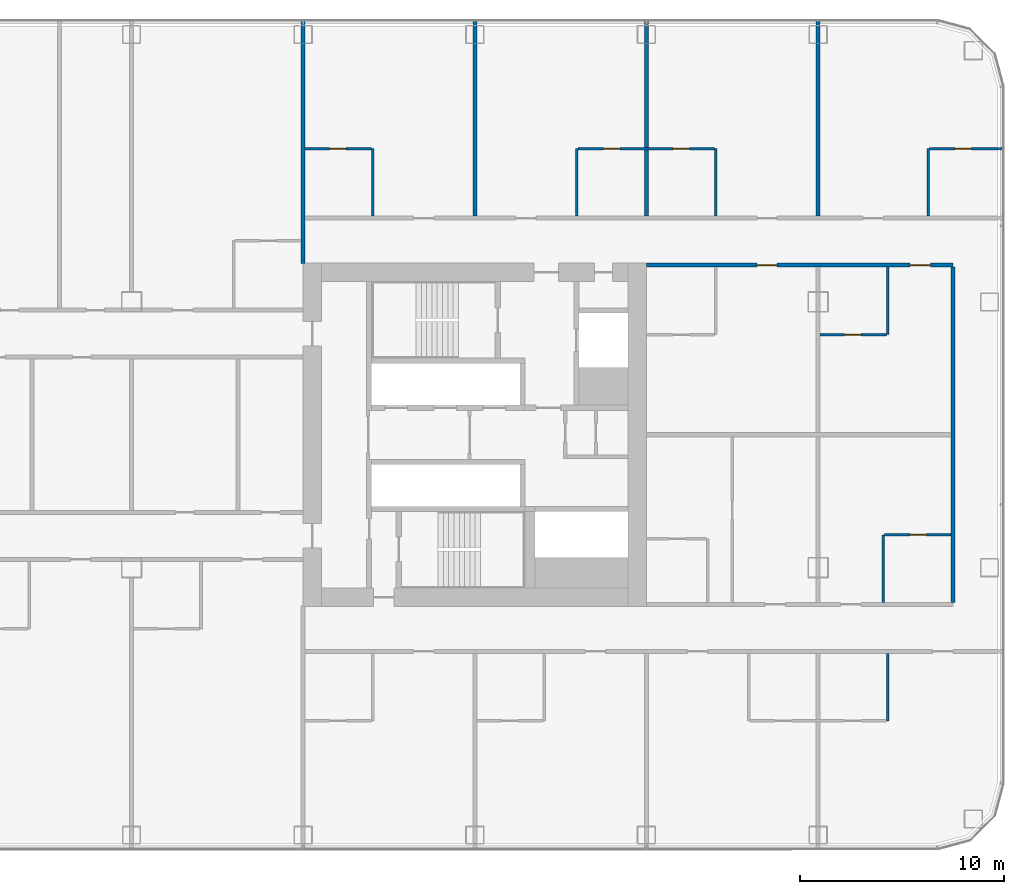
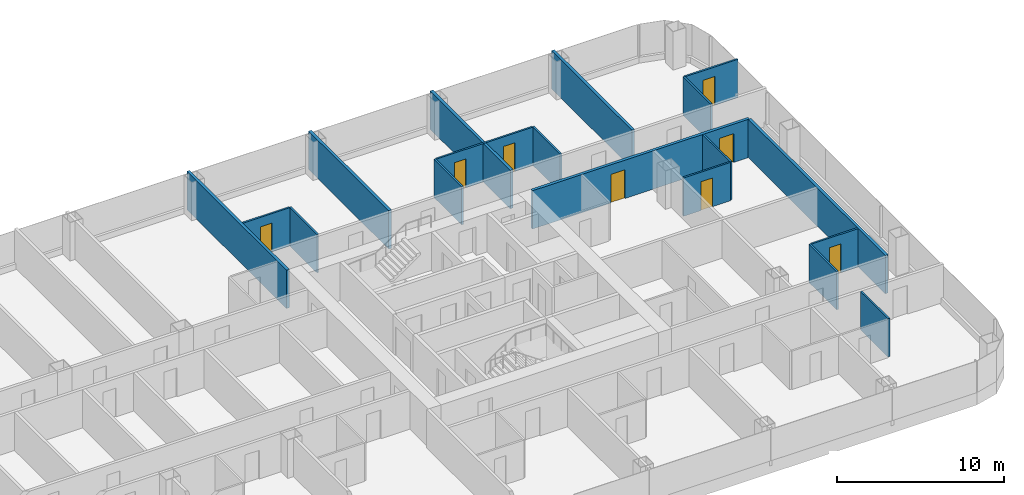
# One storey, part 19 of 28: 18 walls, 8 doors, 8 openings.
"""IFC4 building model written with IfcOpenShell, lengths in metres."""

from ifc_helpers import new_model, si_unit, direction, frame, frame_2d, origin, place, context, subcontext, project, spatial, rectangle, extrude, material, layer, layer_set, type_object, element, fill, save


model = new_model("IFC4")

# Units and contexts
model_context = context("Model", 3, precision=1e-05, world=origin(), true_north=direction((0.0, 1.0)))
body_context = subcontext(model_context, "Body", "Model", "MODEL_VIEW")
ifc_project = project(units=[si_unit("LENGTHUNIT", "METRE"), si_unit("AREAUNIT", "SQUARE_METRE"), si_unit("VOLUMEUNIT", "CUBIC_METRE"), si_unit("PLANEANGLEUNIT", "RADIAN"), si_unit("MASSUNIT", "GRAM", prefix="KILO")], contexts=[model_context])

# Site, building, storey
site_placement = place(None, origin())
site = spatial("IfcSite", under=ifc_project, at=site_placement, CompositionType="ELEMENT")
building_placement = place(site_placement, origin())
building = spatial("IfcBuilding", under=site, at=building_placement, Name="Hakoniwa Tower and Hamabe Station Hall", CompositionType="ELEMENT")
storey_placement = place(building_placement, frame((0.0, 0.0, 35.800048828125)))
storey = spatial("IfcBuildingStorey", under=building, at=storey_placement, Name="L09", CompositionType="ELEMENT", Elevation=35.800048828125)

# Wall, opening, door
ifc_material_1 = material(Name="Gypsum board partition", Category="gypsum")
ifc_layer_1 = layer(ifc_material_1, 0.125)
ifc_layer_set_1 = layer_set([ifc_layer_1], Name="Bathroom Partition 125")
wall_type_1 = type_object("IfcWallType", Name="Bathroom Partition 125", PredefinedType="PARTITIONING", material=ifc_layer_set_1)
wall_1_placement = place(storey_placement, frame((45.262451171875, -4.89990234375, 0.0), z_axis=(0.0, 0.0, 1.0), x_axis=(1.0, 0.0, 0.0)))
wall_1 = element("IfcWall", 1, at=wall_1_placement, inside=storey, type_object=wall_type_1, Name="GW-L09-018", PredefinedType="PARTITIONING", context=body_context, shape_type="SweptSolid", body=[
    extrude(rectangle(XDim=3.237548828125, YDim=0.125, at=frame_2d((1.61865234375, 0.0))), origin(), (0.0, 0.0, 1.0), 2.800048828125),
])
opening_1_placement = place(wall_1_placement, frame((1.237548828125, 0.0, 0.0)))
opening_1 = element("IfcOpeningElement", 2, at=opening_1_placement, cuts=wall_1, Name="Opening GD-G1A1-31", PredefinedType="OPENING", context=body_context, shape_type="SweptSolid", body=[
    extrude(rectangle(XDim=0.800048828125, YDim=2.10009765625, at=frame_2d((0.39990234375, 1.050048828125))), frame((0.0, 0.072509765625, 0.0), z_axis=(0.0, -1.0, 0.0), x_axis=(1.0, 0.0, 0.0)), (0.0, 0.0, 1.0), 0.14501953125),
])
ifc_material_2 = material(Name="Timber door leaf", Category="wood")
door_type_1 = type_object("IfcDoorType", Name="Bathroom Door 800", OperationType="SINGLE_SWING_LEFT", PredefinedType="DOOR", material=ifc_material_2)
door_1_placement = place(opening_1_placement, origin())
door_1 = element("IfcDoor", 3, at=door_1_placement, inside=storey, type_object=door_type_1, Name="Door GD-G1A1-31", OperationType="SINGLE_SWING_LEFT", OverallHeight=2.10009765625, OverallWidth=0.800048828125, PredefinedType="DOOR", context=body_context, shape_type="SweptSolid", body=[
    extrude(rectangle(XDim=0.800048828125, YDim=2.10009765625, at=frame_2d((0.39990234375, 1.050048828125))), frame((0.0, 0.02490234375, 0.0), z_axis=(0.0, -1.0, 0.0), x_axis=(1.0, 0.0, 0.0)), (0.0, 0.0, 1.0), 0.050048828125),
])
fill(opening_1, door_1)

wall_2_placement = place(storey_placement, frame((42.10009765625, 4.89990234375, 0.0), z_axis=(0.0, 0.0, 1.0), x_axis=(1.0, 0.0, 0.0)))
wall_2 = element("IfcWall", 4, at=wall_2_placement, inside=storey, type_object=wall_type_1, Name="GW-L09-025", PredefinedType="PARTITIONING", context=body_context, shape_type="SweptSolid", body=[
    extrude(rectangle(XDim=3.2373046875, YDim=0.125, at=frame_2d((1.61865234375, 0.0))), origin(), (0.0, 0.0, 1.0), 2.800048828125),
])
opening_2_placement = place(wall_2_placement, frame((1.199951171875, 0.0, 0.0)))
opening_2 = element("IfcOpeningElement", 5, at=opening_2_placement, cuts=wall_2, Name="Opening GD-G1A1-42", PredefinedType="OPENING", context=body_context, shape_type="SweptSolid", body=[
    extrude(rectangle(XDim=0.800048828125, YDim=2.10009765625, at=frame_2d((0.39990234375, 1.050048828125))), frame((0.0, 0.072509765625, 0.0), z_axis=(0.0, -1.0, 0.0), x_axis=(1.0, 0.0, 0.0)), (0.0, 0.0, 1.0), 0.14501953125),
])
door_2_placement = place(opening_2_placement, origin())
door_2 = element("IfcDoor", 6, at=door_2_placement, inside=storey, type_object=door_type_1, Name="Door GD-G1A1-42", OperationType="SINGLE_SWING_RIGHT", OverallHeight=2.10009765625, OverallWidth=0.800048828125, PredefinedType="DOOR", context=body_context, shape_type="SweptSolid", body=[
    extrude(rectangle(XDim=0.800048828125, YDim=2.10009765625, at=frame_2d((0.39990234375, 1.050048828125))), frame((0.0, 0.02490234375, 0.0), z_axis=(0.0, -1.0, 0.0), x_axis=(1.0, 0.0, 0.0)), (0.0, 0.0, 1.0), 0.050048828125),
])
fill(opening_2, door_2)

wall_3_placement = place(storey_placement, frame((16.89990234375, 14.0, 0.0), z_axis=(0.0, 0.0, 1.0), x_axis=(1.0, 0.0, 0.0)))
wall_3 = element("IfcWall", 7, at=wall_3_placement, inside=storey, type_object=wall_type_1, Name="GW-L09-036", PredefinedType="PARTITIONING", context=body_context, shape_type="SweptSolid", body=[
    extrude(rectangle(XDim=3.237548828125, YDim=0.125, at=frame_2d((1.61865234375, 0.0))), origin(), (0.0, 0.0, 1.0), 2.800048828125),
])
opening_3_placement = place(wall_3_placement, frame((1.199951171875, 0.0, 0.0)))
opening_3 = element("IfcOpeningElement", 8, at=opening_3_placement, cuts=wall_3, Name="Opening GD-G1A1-66", PredefinedType="OPENING", context=body_context, shape_type="SweptSolid", body=[
    extrude(rectangle(XDim=0.800048828125, YDim=2.10009765625, at=frame_2d((0.39990234375, 1.050048828125))), frame((0.0, 0.072509765625, 0.0), z_axis=(0.0, -1.0, 0.0), x_axis=(1.0, 0.0, 0.0)), (0.0, 0.0, 1.0), 0.14501953125),
])
door_3_placement = place(opening_3_placement, origin())
door_3 = element("IfcDoor", 9, at=door_3_placement, inside=storey, type_object=door_type_1, Name="Door GD-G1A1-66", OperationType="SINGLE_SWING_LEFT", OverallHeight=2.10009765625, OverallWidth=0.800048828125, PredefinedType="DOOR", context=body_context, shape_type="SweptSolid", body=[
    extrude(rectangle(XDim=0.800048828125, YDim=2.10009765625, at=frame_2d((0.39990234375, 1.050048828125))), frame((0.0, 0.02490234375, 0.0), z_axis=(0.0, -1.0, 0.0), x_axis=(1.0, 0.0, 0.0)), (0.0, 0.0, 1.0), 0.050048828125),
])
fill(opening_3, door_3)

# Wall, openings, doors
wall_4_placement = place(storey_placement, frame((30.262451171875, 14.0, 0.0), z_axis=(0.0, 0.0, 1.0), x_axis=(1.0, 0.0, 0.0)))
wall_4 = element("IfcWall", 10, at=wall_4_placement, inside=storey, type_object=wall_type_1, Name="GW-L09-037", PredefinedType="PARTITIONING", context=body_context, shape_type="SweptSolid", body=[
    extrude(rectangle(XDim=6.675048828125, YDim=0.125, at=frame_2d((3.33740234375, 0.0))), origin(), (0.0, 0.0, 1.0), 2.800048828125),
])
opening_4_placement = place(wall_4_placement, frame((1.237548828125, 0.0, 0.0)))
opening_4 = element("IfcOpeningElement", 11, at=opening_4_placement, cuts=wall_4, Name="Opening GD-G1A1-67", PredefinedType="OPENING", context=body_context, shape_type="SweptSolid", body=[
    extrude(rectangle(XDim=0.800048828125, YDim=2.10009765625, at=frame_2d((0.39990234375, 1.050048828125))), frame((0.0, 0.072509765625, 0.0), z_axis=(0.0, -1.0, 0.0), x_axis=(1.0, 0.0, 0.0)), (0.0, 0.0, 1.0), 0.14501953125),
])
opening_5_placement = place(wall_4_placement, frame((4.637451171875, 0.0, 0.0)))
opening_5 = element("IfcOpeningElement", 12, at=opening_5_placement, cuts=wall_4, Name="Opening GD-G1A1-68", PredefinedType="OPENING", context=body_context, shape_type="SweptSolid", body=[
    extrude(rectangle(XDim=0.800048828125, YDim=2.10009765625, at=frame_2d((0.39990234375, 1.050048828125))), frame((0.0, 0.072509765625, 0.0), z_axis=(0.0, -1.0, 0.0), x_axis=(1.0, 0.0, 0.0)), (0.0, 0.0, 1.0), 0.14501953125),
])
door_4_placement = place(opening_4_placement, origin())
door_4 = element("IfcDoor", 13, at=door_4_placement, inside=storey, type_object=door_type_1, Name="Door GD-G1A1-67", OperationType="SINGLE_SWING_RIGHT", OverallHeight=2.10009765625, OverallWidth=0.800048828125, PredefinedType="DOOR", context=body_context, shape_type="SweptSolid", body=[
    extrude(rectangle(XDim=0.800048828125, YDim=2.10009765625, at=frame_2d((0.39990234375, 1.050048828125))), frame((0.0, 0.02490234375, 0.0), z_axis=(0.0, -1.0, 0.0), x_axis=(1.0, 0.0, 0.0)), (0.0, 0.0, 1.0), 0.050048828125),
])
fill(opening_4, door_4)
door_5_placement = place(opening_5_placement, origin())
door_5 = element("IfcDoor", 14, at=door_5_placement, inside=storey, type_object=door_type_1, Name="Door GD-G1A1-68", OperationType="SINGLE_SWING_LEFT", OverallHeight=2.10009765625, OverallWidth=0.800048828125, PredefinedType="DOOR", context=body_context, shape_type="SweptSolid", body=[
    extrude(rectangle(XDim=0.800048828125, YDim=2.10009765625, at=frame_2d((0.39990234375, 1.050048828125))), frame((0.0, 0.02490234375, 0.0), z_axis=(0.0, -1.0, 0.0), x_axis=(1.0, 0.0, 0.0)), (0.0, 0.0, 1.0), 0.050048828125),
])
fill(opening_5, door_5)

# Wall, opening, door
wall_5_placement = place(storey_placement, frame((47.46240234375, 14.0, 0.0), z_axis=(0.0, 0.0, 1.0), x_axis=(1.0, 0.0, 0.0)))
wall_5 = element("IfcWall", 15, at=wall_5_placement, inside=storey, type_object=wall_type_1, Name="GW-L09-038", PredefinedType="PARTITIONING", context=body_context, shape_type="SweptSolid", body=[
    extrude(rectangle(XDim=3.6376953125, YDim=0.125, at=frame_2d((1.81884765625, 0.0))), origin(), (0.0, 0.0, 1.0), 2.800048828125),
])
opening_6_placement = place(wall_5_placement, frame((1.237548828125, 0.0, 0.0)))
opening_6 = element("IfcOpeningElement", 16, at=opening_6_placement, cuts=wall_5, Name="Opening GD-G1A1-69", PredefinedType="OPENING", context=body_context, shape_type="SweptSolid", body=[
    extrude(rectangle(XDim=0.800048828125, YDim=2.10009765625, at=frame_2d((0.39990234375, 1.050048828125))), frame((0.0, 0.072509765625, 0.0), z_axis=(0.0, -1.0, 0.0), x_axis=(1.0, 0.0, 0.0)), (0.0, 0.0, 1.0), 0.14501953125),
])
door_6_placement = place(opening_6_placement, origin())
door_6 = element("IfcDoor", 17, at=door_6_placement, inside=storey, type_object=door_type_1, Name="Door GD-G1A1-69", OperationType="SINGLE_SWING_LEFT", OverallHeight=2.10009765625, OverallWidth=0.800048828125, PredefinedType="DOOR", context=body_context, shape_type="SweptSolid", body=[
    extrude(rectangle(XDim=0.800048828125, YDim=2.10009765625, at=frame_2d((0.39990234375, 1.050048828125))), frame((0.0, 0.02490234375, 0.0), z_axis=(0.0, -1.0, 0.0), x_axis=(1.0, 0.0, 0.0)), (0.0, 0.0, 1.0), 0.050048828125),
])
fill(opening_6, door_6)

# Walls
for number, where, z_axis, x_axis, name in (
    (18, (20.199951171875, 10.699951171875, 0.0), (0.0, 0.0, 1.0), (0.0, 1.0, 0.0), "GW-L09-087"),
    (19, (30.199951171875, 10.699951171875, 0.0), (0.0, 0.0, 1.0), (0.0, 1.0, 0.0), "GW-L09-091"),
    (20, (37.0, 10.699951171875, 0.0), (0.0, 0.0, 1.0), (0.0, 1.0, 0.0), "GW-L09-096"),
    (21, (45.199951171875, -8.199951171875, 0.0), (0.0, 0.0, 1.0), (0.0, 1.0, 0.0), "GW-L09-102"),
    (22, (45.39990234375, -14.0, 0.0), (0.0, 0.0, 1.0), (0.0, 1.0, 0.0), "GW-L09-103"),
    (23, (45.39990234375, 4.89990234375, 0.0), (0.0, 0.0, 1.0), (0.0, 1.0, 0.0), "GW-L09-104"),
    (24, (47.39990234375, 10.699951171875, 0.0), (0.0, 0.0, 1.0), (0.0, 1.0, 0.0), "GW-L09-105"),
):
    element("IfcWall", number, at=place(storey_placement, frame(where, z_axis=z_axis, x_axis=x_axis)), inside=storey, type_object=wall_type_1, Name=name, PredefinedType="PARTITIONING", context=body_context, shape_type="SweptSolid", body=[
        extrude(rectangle(XDim=3.300048828125, YDim=0.125, at=frame_2d((1.64990234375, 0.0))), origin(), (0.0, 0.0, 1.0), 2.800048828125),
    ])

# Wall, openings, doors
ifc_material_3 = material(Name="Fire-rated gypsum board partition", Category="gypsum")
ifc_layer_2 = layer(ifc_material_3, 0.199951171875)
ifc_layer_set_2 = layer_set([ifc_layer_2], Name="Corridor Wall 200")
wall_type_2 = type_object("IfcWallType", Name="Corridor Wall 200", PredefinedType="PARTITIONING", material=ifc_layer_set_2)
wall_6_placement = place(storey_placement, frame((33.60009765625, 8.300048828125, 0.0), z_axis=(0.0, 0.0, 1.0), x_axis=(1.0, 0.0, 0.0)))
wall_6 = element("IfcWall", 25, at=wall_6_placement, inside=storey, type_object=wall_type_2, Name="GW-L09-029", PredefinedType="PARTITIONING", context=body_context, shape_type="SweptSolid", body=[
    extrude(rectangle(XDim=15.0, YDim=0.199951171875, at=frame_2d((7.5, 0.0))), origin(), (0.0, 0.0, 1.0), 2.800048828125),
])
opening_7_placement = place(wall_6_placement, frame((5.39990234375, 0.0, 0.0)))
opening_7 = element("IfcOpeningElement", 26, at=opening_7_placement, cuts=wall_6, Name="Opening GD-G1A1-52", PredefinedType="OPENING", context=body_context, shape_type="SweptSolid", body=[
    extrude(rectangle(XDim=1.0, YDim=2.10009765625, at=frame_2d((0.5, 1.050048828125))), frame((0.0, 0.10986328125, 0.0), z_axis=(0.0, -1.0, 0.0), x_axis=(1.0, 0.0, 0.0)), (0.0, 0.0, 1.0), 0.219970703125),
])
opening_8_placement = place(wall_6_placement, frame((12.89990234375, 0.0, 0.0)))
opening_8 = element("IfcOpeningElement", 27, at=opening_8_placement, cuts=wall_6, Name="Opening GD-G1A1-53", PredefinedType="OPENING", context=body_context, shape_type="SweptSolid", body=[
    extrude(rectangle(XDim=1.0, YDim=2.10009765625, at=frame_2d((0.5, 1.050048828125))), frame((0.0, 0.10986328125, 0.0), z_axis=(0.0, -1.0, 0.0), x_axis=(1.0, 0.0, 0.0)), (0.0, 0.0, 1.0), 0.219970703125),
])
ifc_material_4 = material(Name="Timber door leaf", Category="wood")
door_type_2 = type_object("IfcDoorType", Name="Guest Entrance Door 1000", OperationType="SINGLE_SWING_LEFT", PredefinedType="DOOR", material=ifc_material_4)
door_7_placement = place(opening_7_placement, origin())
door_7 = element("IfcDoor", 28, at=door_7_placement, inside=storey, type_object=door_type_2, Name="Door GD-G1A1-52", OperationType="SINGLE_SWING_RIGHT", OverallHeight=2.10009765625, OverallWidth=1.0, PredefinedType="DOOR", context=body_context, shape_type="SweptSolid", body=[
    extrude(rectangle(XDim=1.0, YDim=2.10009765625, at=frame_2d((0.5, 1.050048828125))), frame((0.0, 0.02490234375, 0.0), z_axis=(0.0, -1.0, 0.0), x_axis=(1.0, 0.0, 0.0)), (0.0, 0.0, 1.0), 0.050048828125),
])
fill(opening_7, door_7)
door_8_placement = place(opening_8_placement, origin())
door_8 = element("IfcDoor", 29, at=door_8_placement, inside=storey, type_object=door_type_2, Name="Door GD-G1A1-53", OperationType="SINGLE_SWING_LEFT", OverallHeight=2.10009765625, OverallWidth=1.0, PredefinedType="DOOR", context=body_context, shape_type="SweptSolid", body=[
    extrude(rectangle(XDim=1.0, YDim=2.10009765625, at=frame_2d((0.5, 1.050048828125))), frame((0.0, 0.02490234375, 0.0), z_axis=(0.0, -1.0, 0.0), x_axis=(1.0, 0.0, 0.0)), (0.0, 0.0, 1.0), 0.050048828125),
])
fill(opening_8, door_8)

# Walls
ifc_material_5 = material(Name="Fire-rated gypsum board partition", Category="gypsum")
ifc_layer_3 = layer(ifc_material_5, 0.199951171875)
ifc_layer_set_3 = layer_set([ifc_layer_3], Name="Party Wall 200")
wall_type_3 = type_object("IfcWallType", Name="Party Wall 200", PredefinedType="PARTITIONING", material=ifc_layer_set_3)
wall_7_placement = place(storey_placement, frame((16.800048828125, 8.389892578125, 0.0), z_axis=(0.0, 0.0, 1.0), x_axis=(0.0, 1.0, 0.0)))
element("IfcWall", 30, at=wall_7_placement, inside=storey, type_object=wall_type_3, Name="GW-L09-085", PredefinedType="PARTITIONING", context=body_context, shape_type="SweptSolid", body=[
    extrude(rectangle(XDim=11.91015625, YDim=0.199951171875, at=frame_2d((5.955078125, 0.0))), origin(), (0.0, 0.0, 1.0), 2.800048828125),
])
for number, where, z_axis, x_axis, name in (
    (31, (25.199951171875, 10.699951171875, 0.0), (0.0, 0.0, 1.0), (0.0, 1.0, 0.0), "GW-L09-089"),
    (32, (33.60009765625, 10.699951171875, 0.0), (0.0, 0.0, 1.0), (0.0, 1.0, 0.0), "GW-L09-093"),
    (33, (42.0, 10.699951171875, 0.0), (0.0, 0.0, 1.0), (0.0, 1.0, 0.0), "GW-L09-101"),
):
    element("IfcWall", number, at=place(storey_placement, frame(where, z_axis=z_axis, x_axis=x_axis)), inside=storey, type_object=wall_type_3, Name=name, PredefinedType="PARTITIONING", context=body_context, shape_type="SweptSolid", body=[
        extrude(rectangle(XDim=9.60009765625, YDim=0.199951171875, at=frame_2d((4.800048828125, 0.0))), origin(), (0.0, 0.0, 1.0), 2.800048828125),
    ])
wall_8_placement = place(storey_placement, frame((48.60009765625, -8.199951171875, 0.0), z_axis=(0.0, 0.0, 1.0), x_axis=(0.0, 1.0, 0.0)))
element("IfcWall", 34, at=wall_8_placement, inside=storey, type_object=wall_type_3, Name="GW-L09-106", PredefinedType="PARTITIONING", context=body_context, shape_type="SweptSolid", body=[
    extrude(rectangle(XDim=16.39990234375, YDim=0.199951171875, at=frame_2d((8.199951171875, 0.0))), origin(), (0.0, 0.0, 1.0), 2.800048828125),
])

save(model, "model.ifc")
